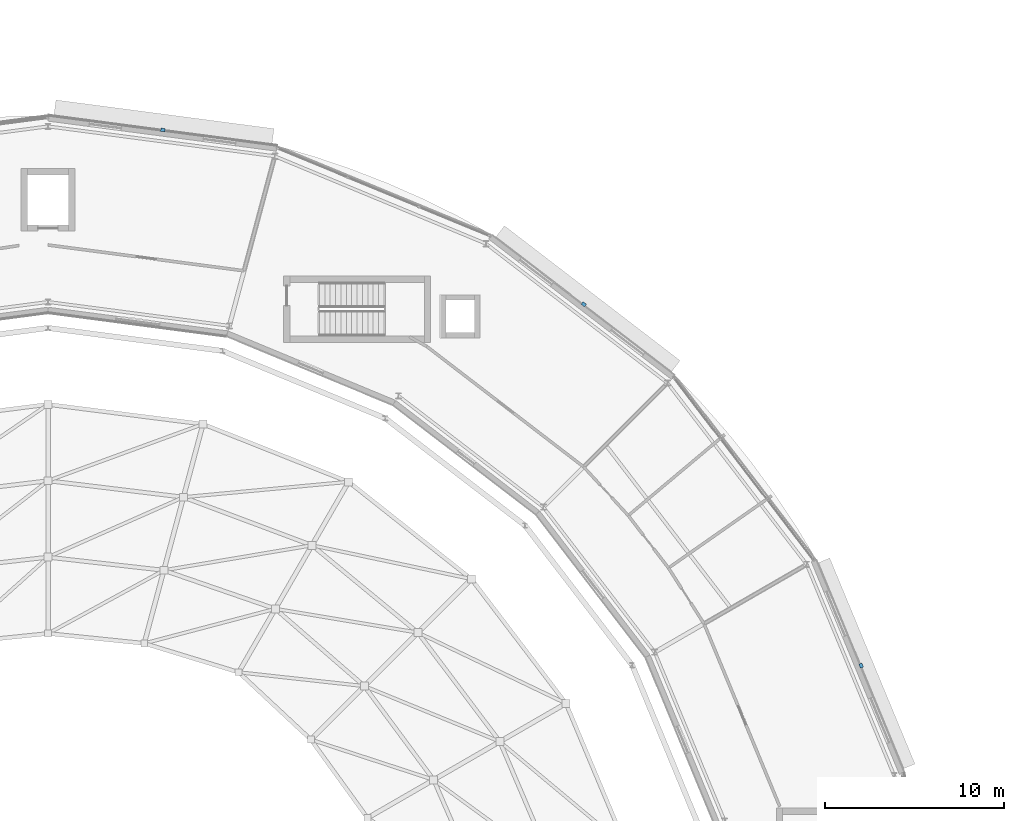
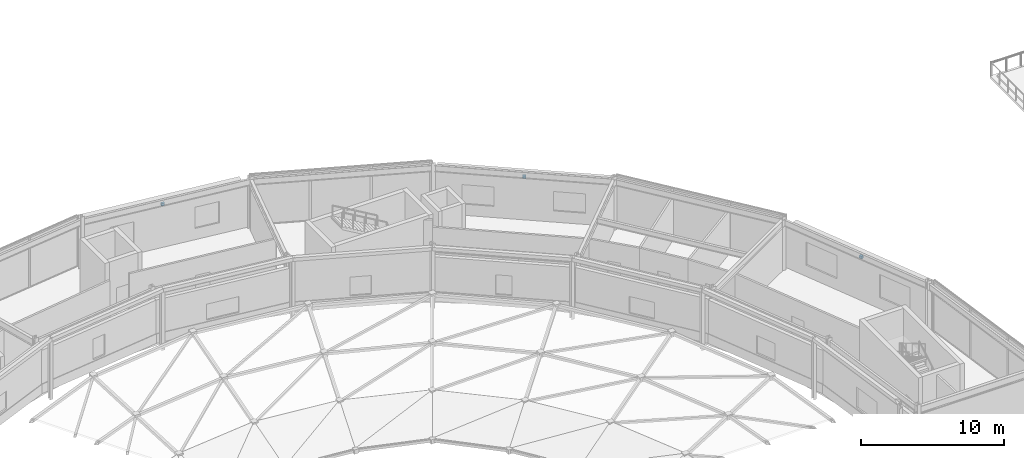
# One storey, part 74 of 89: 3 discrete accessories.
"""IFC4 building model written with IfcOpenShell, lengths in metres."""

from ifc_helpers import new_model, si_unit, direction, frame, origin, origin_2d, place, context, subcontext, project, spatial, rectangle, extrude, material, layer, layer_set, type_object, element, save


model = new_model("IFC4")

# Units and contexts
model_context = context("Model", 3, precision=1e-05, world=origin(), true_north=direction((0.0, 1.0)))
body_context = subcontext(model_context, "Body", "Model", "MODEL_VIEW")
ifc_project = project(units=[si_unit("LENGTHUNIT", "METRE"), si_unit("AREAUNIT", "SQUARE_METRE"), si_unit("VOLUMEUNIT", "CUBIC_METRE"), si_unit("PLANEANGLEUNIT", "RADIAN"), si_unit("MASSUNIT", "GRAM", prefix="KILO")], contexts=[model_context])

# Site, building, storey
site_placement = place(None, origin())
site = spatial("IfcSite", under=ifc_project, at=site_placement, CompositionType="ELEMENT")
building_placement = place(site_placement, origin())
building = spatial("IfcBuilding", under=site, at=building_placement, Name="Almandine Court Research Institute", CompositionType="ELEMENT")
storey_placement = place(building_placement, frame((0.0, 0.0, 18.89990234375)))
storey = spatial("IfcBuildingStorey", under=building, at=storey_placement, Name="L04", CompositionType="ELEMENT", Elevation=18.89990234375)

# Discrete accessories
ifc_material = material(Name="Galvanised Steel Facade Outrigger Bracket", Category="steel")
ifc_layer = layer(ifc_material, 0.219970703125)
ifc_layer_set = layer_set([ifc_layer], Name="Galvanised Steel Facade Outrigger Bracket")
discrete_accessory_type = type_object("IfcDiscreteAccessoryType", Name="Acc-CHJ-BRACKET", PredefinedType="BRACKET", material=ifc_layer_set)
for number, where, z_axis, x_axis, name in (
    (1, (132.384033203125, 74.799072265625, 3.32421875), (0.0, 0.0, 1.0), (0.382683432365, -0.923879532511, 0.0), "L04 Chhajja Outrigger Bracket 185"),
    (2, (116.904052734375, 94.971923828125, 3.32421875), (0.0, 0.0, 1.0), (0.793353340291, -0.608761429009, 0.0), "L04 Chhajja Outrigger Bracket 186"),
    (3, (93.412109375, 104.702880859375, 3.32421875), (0.0, 0.0, 1.0), (0.991444861374, -0.13052619222, 0.0), "L04 Chhajja Outrigger Bracket 187"),
):
    element("IfcDiscreteAccessory", number, at=place(storey_placement, frame(where, z_axis=z_axis, x_axis=x_axis)), inside=storey, type_object=discrete_accessory_type, Name=name, PredefinedType="BRACKET", context=body_context, shape_type="SweptSolid", body=[
        extrude(rectangle(XDim=0.239990234375, YDim=0.179931640625, at=origin_2d()), origin(), (0.0, 0.0, 1.0), 0.219970703125),
    ])

save(model, "model.ifc")
